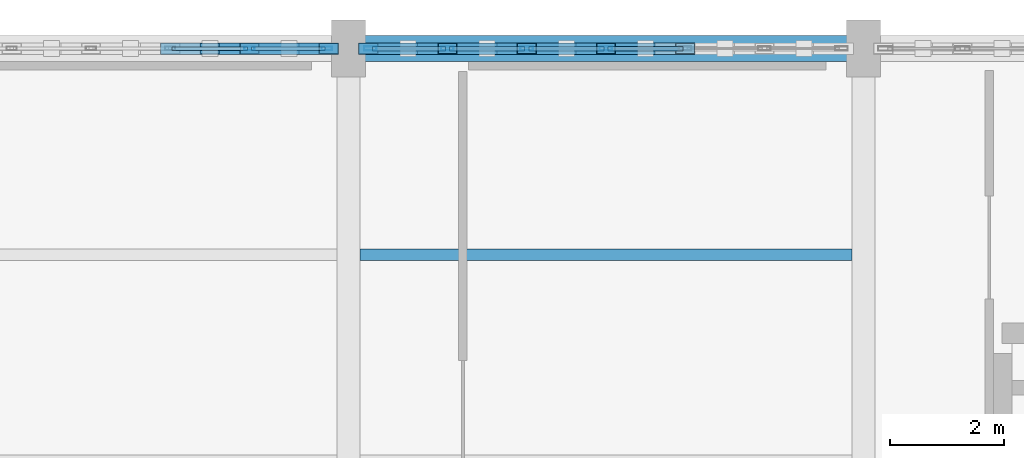
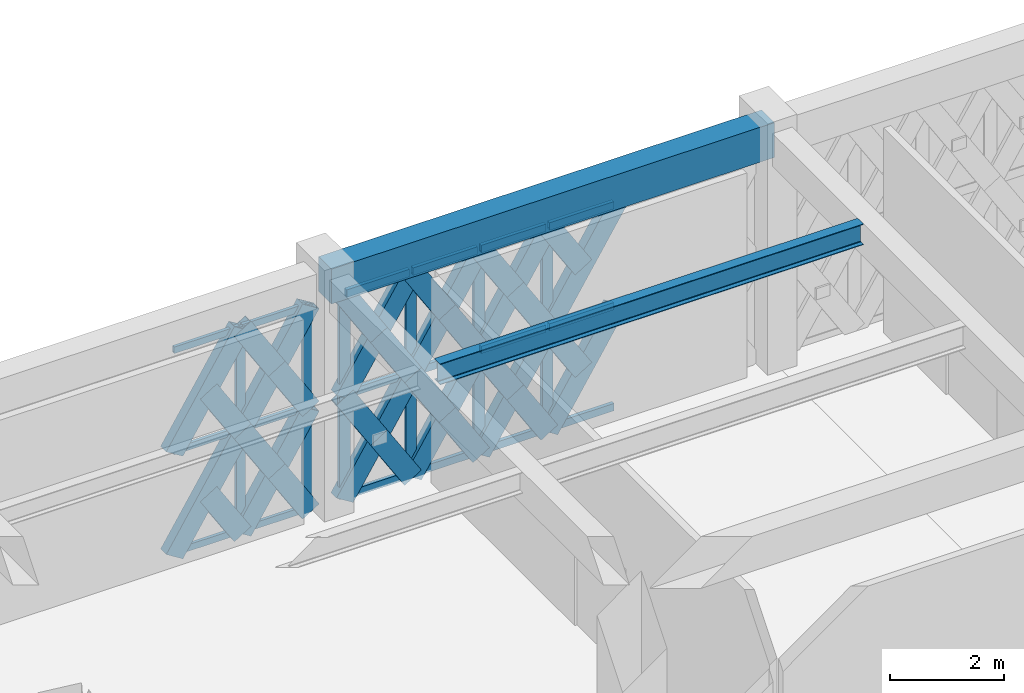
# One storey, part 89 of 155: 56 members, 2 beams, 2 elements without a shape of their own.
"""IFC4 building model written with IfcOpenShell, lengths in metres."""

from ifc_helpers import new_model, si_unit, direction, frame, origin, origin_2d, place, context, subcontext, project, spatial, rectangle, hollow_rectangle, i_section, extrude, material, material_profile, profile_set, type_object, element, aggregate, save


model = new_model("IFC4")

# Units and contexts
model_context = context("Model", 3, precision=1e-05, world=origin(), true_north=direction((0.0, 1.0)))
body_context = subcontext(model_context, "Body", "Model", "MODEL_VIEW")
ifc_project = project(units=[si_unit("LENGTHUNIT", "METRE"), si_unit("AREAUNIT", "SQUARE_METRE"), si_unit("VOLUMEUNIT", "CUBIC_METRE"), si_unit("PLANEANGLEUNIT", "RADIAN"), si_unit("MASSUNIT", "GRAM", prefix="KILO")], contexts=[model_context])

# Site, building, storey
site_placement = place(None, origin())
site = spatial("IfcSite", under=ifc_project, at=site_placement, CompositionType="ELEMENT")
building_placement = place(site_placement, origin())
building = spatial("IfcBuilding", under=site, at=building_placement, Name="Haizhuo Lancet Aquarium", CompositionType="ELEMENT")
storey_placement = place(building_placement, frame((0.0, 0.0, 10.800048828125)))
storey = spatial("IfcBuildingStorey", under=building, at=storey_placement, Name="L02", CompositionType="ELEMENT", Elevation=10.800048828125)

# Beam
ifc_material_1 = material(Name="Concrete C40/50", Category="concrete")
ifc_material_profile_1 = material_profile(ifc_material_1, rectangle(XDim=0.449951171875, YDim=0.75, at=origin_2d()), Name="RC-BM 450x750")
ifc_profile_set_1 = profile_set([ifc_material_profile_1], Name="Concrete C40/50")
beam_type_1 = type_object("IfcBeamType", Name="BM-RC-450x750", PredefinedType="BEAM", material=ifc_profile_set_1)
beam_1_placement = place(storey_placement, frame((0.0, 55.800048828125, 4.784912109375), z_axis=(1.0, 0.0, 0.0), x_axis=(0.0, 1.0, 0.0)))
element("IfcBeam", 1, at=beam_1_placement, inside=storey, type_object=beam_type_1, Name="L02 V5 primary girder BM-L02-V5-022", PredefinedType="BEAM", context=body_context, shape_type="SweptSolid", body=[
    extrude(rectangle(XDim=0.449951171875, YDim=0.75, at=origin_2d()), origin(), (0.0, 0.0, 1.0), 9.0),
])

# Curtain wall, members
ifc_material_2 = material(Name="Aluminium 6063-T6", Category="aluminium")
curtain_wall_type = type_object("IfcCurtainWallType", Name="CWD-8310x4410", PredefinedType="NOTDEFINED", material=ifc_material_2)
curtain_wall_1_placement = place(storey_placement, origin())
curtain_wall_1 = element("IfcCurtainWall", 2, at=curtain_wall_1_placement, inside=storey, type_object=curtain_wall_type, Name="L02 curtain wall CW-V5-L02-148", PredefinedType="NOTDEFINED")
ifc_material_profile_2 = material_profile(ifc_material_2, hollow_rectangle(XDim=0.06494140625, YDim=0.179931640625, WallThickness=0.00390625, at=origin_2d()), Name="ALU-M 65x180x4")
ifc_profile_set_2 = profile_set([ifc_material_profile_2], Name="Aluminium 6063-T6")
member_type_1 = type_object("IfcMemberType", Name="CW-MUL-1", PredefinedType="MULLION", material=ifc_profile_set_2)
member_1_placement = place(storey_placement, frame((-1.72998046875, 55.800048828125, 0.0), z_axis=(0.0, 0.0, 1.0), x_axis=(0.0, 1.0, 0.0)))
member_1 = element("IfcMember", 3, at=member_1_placement, type_object=member_type_1, Name="CWD-83x44 mullion 6", PredefinedType="MULLION", context=body_context, shape_type="SweptSolid", body=[
    extrude(hollow_rectangle(XDim=0.06494140625, YDim=0.179931640625, WallThickness=0.00390625, at=origin_2d()), origin(), (0.0, 0.0, 1.0), 4.409912109375),
])
member_2_placement = place(storey_placement, frame((-0.3779296875, 55.800048828125, 0.0), z_axis=(0.0, 0.0, 1.0), x_axis=(0.0, 1.0, 0.0)))
member_2 = element("IfcMember", 4, at=member_2_placement, type_object=member_type_1, Name="CWD-83x44 mullion 7", PredefinedType="MULLION", context=body_context, shape_type="SweptSolid", body=[
    extrude(hollow_rectangle(XDim=0.06494140625, YDim=0.179931640625, WallThickness=0.00390625, at=origin_2d()), origin(), (0.0, 0.0, 1.0), 4.409912109375),
])

curtain_wall_2_placement = place(storey_placement, origin())
curtain_wall_2 = element("IfcCurtainWall", 5, at=curtain_wall_2_placement, inside=storey, type_object=curtain_wall_type, Name="L02 curtain wall CW-V5-L02-149", PredefinedType="NOTDEFINED")
ifc_material_profile_3 = material_profile(ifc_material_2, hollow_rectangle(XDim=0.074951171875, YDim=0.219970703125, WallThickness=0.0048828125, at=origin_2d()), Name="ALU-M 75x220x5")
ifc_profile_set_3 = profile_set([ifc_material_profile_3], Name="Aluminium 6063-T6")
member_type_2 = type_object("IfcMemberType", Name="CW-MUL-2", PredefinedType="MULLION", material=ifc_profile_set_3)
member_3_placement = place(storey_placement, frame((0.382080078125, 55.800048828125, 0.0), z_axis=(0.0, 0.0, 1.0), x_axis=(0.0, 1.0, 0.0)))
member_3 = element("IfcMember", 6, at=member_3_placement, type_object=member_type_2, Name="CWD-83x44 mullion 1", PredefinedType="MULLION", context=body_context, shape_type="SweptSolid", body=[
    extrude(hollow_rectangle(XDim=0.074951171875, YDim=0.219970703125, WallThickness=0.0048828125, at=origin_2d()), origin(), (0.0, 0.0, 1.0), 4.409912109375),
])
member_4_placement = place(storey_placement, frame((1.72998046875, 55.800048828125, 0.0), z_axis=(0.0, 0.0, 1.0), x_axis=(0.0, 1.0, 0.0)))
member_4 = element("IfcMember", 7, at=member_4_placement, type_object=member_type_2, Name="CWD-83x44 mullion 2", PredefinedType="MULLION", context=body_context, shape_type="SweptSolid", body=[
    extrude(hollow_rectangle(XDim=0.074951171875, YDim=0.219970703125, WallThickness=0.0048828125, at=origin_2d()), origin(), (0.0, 0.0, 1.0), 4.409912109375),
])
member_5_placement = place(storey_placement, frame((3.114990234375, 55.800048828125, 0.0), z_axis=(0.0, 0.0, 1.0), x_axis=(0.0, 1.0, 0.0)))
member_5 = element("IfcMember", 8, at=member_5_placement, type_object=member_type_2, Name="CWD-83x44 mullion 3", PredefinedType="MULLION", context=body_context, shape_type="SweptSolid", body=[
    extrude(hollow_rectangle(XDim=0.074951171875, YDim=0.219970703125, WallThickness=0.0048828125, at=origin_2d()), origin(), (0.0, 0.0, 1.0), 4.409912109375),
])
member_6_placement = place(storey_placement, frame((4.5, 55.800048828125, 0.0), z_axis=(0.0, 0.0, 1.0), x_axis=(0.0, 1.0, 0.0)))
member_6 = element("IfcMember", 9, at=member_6_placement, type_object=member_type_2, Name="CWD-83x44 mullion 4", PredefinedType="MULLION", context=body_context, shape_type="SweptSolid", body=[
    extrude(hollow_rectangle(XDim=0.074951171875, YDim=0.219970703125, WallThickness=0.0048828125, at=origin_2d()), origin(), (0.0, 0.0, 1.0), 4.409912109375),
])

# Member
ifc_material_profile_4 = material_profile(ifc_material_2, hollow_rectangle(XDim=0.06494140625, YDim=0.139892578125, WallThickness=0.00390625, at=origin_2d()), Name="ALU-T 65x140x4")
ifc_profile_set_4 = profile_set([ifc_material_profile_4], Name="Aluminium 6063-T6")
member_type_3 = type_object("IfcMemberType", Name="CW-TRN-1", PredefinedType="NOTDEFINED", material=ifc_profile_set_4)
member_7_placement = place(storey_placement, frame((-3.0830078125, 55.800048828125, 0.032958984375), z_axis=(1.0, 0.0, 0.0), x_axis=(0.0, 1.0, 0.0)))
member_7 = element("IfcMember", 10, at=member_7_placement, type_object=member_type_3, Name="CWD-83x44 transom 5.1", ObjectType="TRANSOM", PredefinedType="USERDEFINED", context=body_context, shape_type="SweptSolid", body=[
    extrude(hollow_rectangle(XDim=0.06494140625, YDim=0.139892578125, WallThickness=0.00390625, at=origin_2d()), origin(), (0.0, 0.0, 1.0), 1.320068359375),
])

member_8_placement = place(storey_placement, frame((-3.0830078125, 55.800048828125, 2.204833984375), z_axis=(1.0, 0.0, 0.0), x_axis=(0.0, 1.0, 0.0)))
member_8 = element("IfcMember", 11, at=member_8_placement, type_object=member_type_3, Name="CWD-83x44 transom 5.2", ObjectType="TRANSOM", PredefinedType="USERDEFINED", context=body_context, shape_type="SweptSolid", body=[
    extrude(hollow_rectangle(XDim=0.06494140625, YDim=0.139892578125, WallThickness=0.00390625, at=origin_2d()), origin(), (0.0, 0.0, 1.0), 1.320068359375),
])

member_9_placement = place(storey_placement, frame((-3.0830078125, 55.800048828125, 4.3779296875), z_axis=(1.0, 0.0, 0.0), x_axis=(0.0, 1.0, 0.0)))
member_9 = element("IfcMember", 12, at=member_9_placement, type_object=member_type_3, Name="CWD-83x44 transom 5.3", ObjectType="TRANSOM", PredefinedType="USERDEFINED", context=body_context, shape_type="SweptSolid", body=[
    extrude(hollow_rectangle(XDim=0.06494140625, YDim=0.139892578125, WallThickness=0.00390625, at=origin_2d()), origin(), (0.0, 0.0, 1.0), 1.320068359375),
])

member_10_placement = place(storey_placement, frame((-1.697998046875, 55.800048828125, 0.032958984375), z_axis=(1.0, 0.0, 0.0), x_axis=(0.0, 1.0, 0.0)))
member_10 = element("IfcMember", 13, at=member_10_placement, type_object=member_type_3, Name="CWD-83x44 transom 6.1", ObjectType="TRANSOM", PredefinedType="USERDEFINED", context=body_context, shape_type="SweptSolid", body=[
    extrude(hollow_rectangle(XDim=0.06494140625, YDim=0.139892578125, WallThickness=0.00390625, at=origin_2d()), origin(), (0.0, 0.0, 1.0), 1.2880859375),
])

member_11_placement = place(storey_placement, frame((-1.697998046875, 55.800048828125, 2.204833984375), z_axis=(1.0, 0.0, 0.0), x_axis=(0.0, 1.0, 0.0)))
member_11 = element("IfcMember", 14, at=member_11_placement, type_object=member_type_3, Name="CWD-83x44 transom 6.2", ObjectType="TRANSOM", PredefinedType="USERDEFINED", context=body_context, shape_type="SweptSolid", body=[
    extrude(hollow_rectangle(XDim=0.06494140625, YDim=0.139892578125, WallThickness=0.00390625, at=origin_2d()), origin(), (0.0, 0.0, 1.0), 1.2880859375),
])

member_12_placement = place(storey_placement, frame((-1.697998046875, 55.800048828125, 4.3779296875), z_axis=(1.0, 0.0, 0.0), x_axis=(0.0, 1.0, 0.0)))
member_12 = element("IfcMember", 15, at=member_12_placement, type_object=member_type_3, Name="CWD-83x44 transom 6.3", ObjectType="TRANSOM", PredefinedType="USERDEFINED", context=body_context, shape_type="SweptSolid", body=[
    extrude(hollow_rectangle(XDim=0.06494140625, YDim=0.139892578125, WallThickness=0.00390625, at=origin_2d()), origin(), (0.0, 0.0, 1.0), 1.2880859375),
])

aggregate(curtain_wall_1, [member_1, member_2, member_7, member_8, member_9, member_10, member_11, member_12])

ifc_material_profile_5 = material_profile(ifc_material_2, hollow_rectangle(XDim=0.074951171875, YDim=0.159912109375, WallThickness=0.00390625, at=origin_2d()), Name="ALU-T 75x160x4")
ifc_profile_set_5 = profile_set([ifc_material_profile_5], Name="Aluminium 6063-T6")
member_type_4 = type_object("IfcMemberType", Name="CW-TRN-2", PredefinedType="NOTDEFINED", material=ifc_profile_set_5)
member_13_placement = place(storey_placement, frame((0.419921875, 55.800048828125, 0.037841796875), z_axis=(1.0, 0.0, 0.0), x_axis=(0.0, 1.0, 0.0)))
member_13 = element("IfcMember", 16, at=member_13_placement, type_object=member_type_4, Name="CWD-83x44 transom 1.1", ObjectType="TRANSOM", PredefinedType="USERDEFINED", context=body_context, shape_type="SweptSolid", body=[
    extrude(hollow_rectangle(XDim=0.074951171875, YDim=0.159912109375, WallThickness=0.00390625, at=origin_2d()), origin(), (0.0, 0.0, 1.0), 1.27197265625),
])

member_14_placement = place(storey_placement, frame((0.419921875, 55.800048828125, 2.204833984375), z_axis=(1.0, 0.0, 0.0), x_axis=(0.0, 1.0, 0.0)))
member_14 = element("IfcMember", 17, at=member_14_placement, type_object=member_type_4, Name="CWD-83x44 transom 1.2", ObjectType="TRANSOM", PredefinedType="USERDEFINED", context=body_context, shape_type="SweptSolid", body=[
    extrude(hollow_rectangle(XDim=0.074951171875, YDim=0.159912109375, WallThickness=0.00390625, at=origin_2d()), origin(), (0.0, 0.0, 1.0), 1.27197265625),
])

member_15_placement = place(storey_placement, frame((0.419921875, 55.800048828125, 4.373046875), z_axis=(1.0, 0.0, 0.0), x_axis=(0.0, 1.0, 0.0)))
member_15 = element("IfcMember", 18, at=member_15_placement, type_object=member_type_4, Name="CWD-83x44 transom 1.3", ObjectType="TRANSOM", PredefinedType="USERDEFINED", context=body_context, shape_type="SweptSolid", body=[
    extrude(hollow_rectangle(XDim=0.074951171875, YDim=0.159912109375, WallThickness=0.00390625, at=origin_2d()), origin(), (0.0, 0.0, 1.0), 1.27197265625),
])

member_16_placement = place(storey_placement, frame((1.76708984375, 55.800048828125, 0.037841796875), z_axis=(1.0, 0.0, 0.0), x_axis=(0.0, 1.0, 0.0)))
member_16 = element("IfcMember", 19, at=member_16_placement, type_object=member_type_4, Name="CWD-83x44 transom 2.1", ObjectType="TRANSOM", PredefinedType="USERDEFINED", context=body_context, shape_type="SweptSolid", body=[
    extrude(hollow_rectangle(XDim=0.074951171875, YDim=0.159912109375, WallThickness=0.00390625, at=origin_2d()), origin(), (0.0, 0.0, 1.0), 1.309814453125),
])

member_17_placement = place(storey_placement, frame((1.76708984375, 55.800048828125, 2.204833984375), z_axis=(1.0, 0.0, 0.0), x_axis=(0.0, 1.0, 0.0)))
member_17 = element("IfcMember", 20, at=member_17_placement, type_object=member_type_4, Name="CWD-83x44 transom 2.2", ObjectType="TRANSOM", PredefinedType="USERDEFINED", context=body_context, shape_type="SweptSolid", body=[
    extrude(hollow_rectangle(XDim=0.074951171875, YDim=0.159912109375, WallThickness=0.00390625, at=origin_2d()), origin(), (0.0, 0.0, 1.0), 1.309814453125),
])

member_18_placement = place(storey_placement, frame((1.76708984375, 55.800048828125, 4.373046875), z_axis=(1.0, 0.0, 0.0), x_axis=(0.0, 1.0, 0.0)))
member_18 = element("IfcMember", 21, at=member_18_placement, type_object=member_type_4, Name="CWD-83x44 transom 2.3", ObjectType="TRANSOM", PredefinedType="USERDEFINED", context=body_context, shape_type="SweptSolid", body=[
    extrude(hollow_rectangle(XDim=0.074951171875, YDim=0.159912109375, WallThickness=0.00390625, at=origin_2d()), origin(), (0.0, 0.0, 1.0), 1.309814453125),
])

member_19_placement = place(storey_placement, frame((3.152099609375, 55.800048828125, 0.037841796875), z_axis=(1.0, 0.0, 0.0), x_axis=(0.0, 1.0, 0.0)))
member_19 = element("IfcMember", 22, at=member_19_placement, type_object=member_type_4, Name="CWD-83x44 transom 3.1", ObjectType="TRANSOM", PredefinedType="USERDEFINED", context=body_context, shape_type="SweptSolid", body=[
    extrude(hollow_rectangle(XDim=0.074951171875, YDim=0.159912109375, WallThickness=0.00390625, at=origin_2d()), origin(), (0.0, 0.0, 1.0), 1.309814453125),
])

member_20_placement = place(storey_placement, frame((3.152099609375, 55.800048828125, 2.204833984375), z_axis=(1.0, 0.0, 0.0), x_axis=(0.0, 1.0, 0.0)))
member_20 = element("IfcMember", 23, at=member_20_placement, type_object=member_type_4, Name="CWD-83x44 transom 3.2", ObjectType="TRANSOM", PredefinedType="USERDEFINED", context=body_context, shape_type="SweptSolid", body=[
    extrude(hollow_rectangle(XDim=0.074951171875, YDim=0.159912109375, WallThickness=0.00390625, at=origin_2d()), origin(), (0.0, 0.0, 1.0), 1.309814453125),
])

member_21_placement = place(storey_placement, frame((3.152099609375, 55.800048828125, 4.373046875), z_axis=(1.0, 0.0, 0.0), x_axis=(0.0, 1.0, 0.0)))
member_21 = element("IfcMember", 24, at=member_21_placement, type_object=member_type_4, Name="CWD-83x44 transom 3.3", ObjectType="TRANSOM", PredefinedType="USERDEFINED", context=body_context, shape_type="SweptSolid", body=[
    extrude(hollow_rectangle(XDim=0.074951171875, YDim=0.159912109375, WallThickness=0.00390625, at=origin_2d()), origin(), (0.0, 0.0, 1.0), 1.309814453125),
])

member_22_placement = place(storey_placement, frame((4.537109375, 55.800048828125, 0.037841796875), z_axis=(1.0, 0.0, 0.0), x_axis=(0.0, 1.0, 0.0)))
member_22 = element("IfcMember", 25, at=member_22_placement, type_object=member_type_4, Name="CWD-83x44 transom 4.1", ObjectType="TRANSOM", PredefinedType="USERDEFINED", context=body_context, shape_type="SweptSolid", body=[
    extrude(hollow_rectangle(XDim=0.074951171875, YDim=0.159912109375, WallThickness=0.00390625, at=origin_2d()), origin(), (0.0, 0.0, 1.0), 1.309814453125),
])

member_23_placement = place(storey_placement, frame((4.537109375, 55.800048828125, 2.204833984375), z_axis=(1.0, 0.0, 0.0), x_axis=(0.0, 1.0, 0.0)))
member_23 = element("IfcMember", 26, at=member_23_placement, type_object=member_type_4, Name="CWD-83x44 transom 4.2", ObjectType="TRANSOM", PredefinedType="USERDEFINED", context=body_context, shape_type="SweptSolid", body=[
    extrude(hollow_rectangle(XDim=0.074951171875, YDim=0.159912109375, WallThickness=0.00390625, at=origin_2d()), origin(), (0.0, 0.0, 1.0), 1.309814453125),
])

member_24_placement = place(storey_placement, frame((4.537109375, 55.800048828125, 4.373046875), z_axis=(1.0, 0.0, 0.0), x_axis=(0.0, 1.0, 0.0)))
member_24 = element("IfcMember", 27, at=member_24_placement, type_object=member_type_4, Name="CWD-83x44 transom 4.3", ObjectType="TRANSOM", PredefinedType="USERDEFINED", context=body_context, shape_type="SweptSolid", body=[
    extrude(hollow_rectangle(XDim=0.074951171875, YDim=0.159912109375, WallThickness=0.00390625, at=origin_2d()), origin(), (0.0, 0.0, 1.0), 1.309814453125),
])

aggregate(curtain_wall_2, [member_3, member_4, member_5, member_6, member_13, member_14, member_15, member_16, member_17, member_18, member_19, member_20, member_21, member_22, member_23, member_24])

# Beam
ifc_material_3 = material(Name="Steel S355", Category="steel")
ifc_material_profile_6 = material_profile(ifc_material_3, i_section(OverallWidth=0.199951171875, OverallDepth=0.449951171875, WebThickness=0.009033203125, FlangeThickness=0.013916015625, FilletRadius=0.01806640625, at=origin_2d()), Name="HN 450x200x9x14")
ifc_profile_set_6 = profile_set([ifc_material_profile_6], Name="Steel S355")
beam_type_2 = type_object("IfcBeamType", Name="JST-ST-HN450", PredefinedType="JOIST", material=ifc_profile_set_6)
beam_2_placement = place(storey_placement, frame((0.199951171875, 52.199951171875, 4.93505859375), z_axis=(1.0, 0.0, 0.0), x_axis=(0.0, 1.0, 0.0)))
element("IfcBeam", 28, at=beam_2_placement, inside=storey, type_object=beam_type_2, Name="L02 V5 secondary floor joist 13", PredefinedType="JOIST", context=body_context, shape_type="SweptSolid", body=[
    extrude(i_section(OverallWidth=0.199951171875, OverallDepth=0.449951171875, WebThickness=0.009033203125, FlangeThickness=0.013916015625, FilletRadius=0.01806640625, at=origin_2d()), origin(), (0.0, 0.0, 1.0), 8.60009765625),
])

# Members
ifc_material_profile_7 = material_profile(ifc_material_3, hollow_rectangle(XDim=0.199951171875, YDim=0.39990234375, WallThickness=0.011962890625, at=origin_2d()), Name="RHS 200x400x12")
ifc_profile_set_7 = profile_set([ifc_material_profile_7], Name="Steel S355")
member_type_5 = type_object("IfcMemberType", Name="MEM-LB-RHS200x400", PredefinedType="BRACE", material=ifc_profile_set_7)
member_25_placement = place(storey_placement, frame((-3.114990234375, 55.800048828125, 0.0), z_axis=(0.531927646905, 0.0, 0.84678980772), x_axis=(0.0, 1.0, 0.0)))
element("IfcMember", 29, at=member_25_placement, inside=storey, type_object=member_type_5, Name="Gothic lancet continuous diagonal brace CW-V5-L02-148 9A", PredefinedType="BRACE", context=body_context, shape_type="SweptSolid", body=[
    extrude(hollow_rectangle(XDim=0.199951171875, YDim=0.39990234375, WallThickness=0.011962890625, at=origin_2d()), origin(), (0.0, 0.0, 1.0), 2.603759765625),
])
member_26_placement = place(storey_placement, frame((-1.72998046875, 55.800048828125, 0.0), z_axis=(-0.532390437474, 0.0, 0.84649892031), x_axis=(0.0, -1.0, 0.0)))
element("IfcMember", 30, at=member_26_placement, inside=storey, type_object=member_type_5, Name="Gothic lancet split diagonal brace CW-V5-L02-148 9B1", PredefinedType="BRACE", context=body_context, shape_type="SweptSolid", body=[
    extrude(hollow_rectangle(XDim=0.199951171875, YDim=0.39990234375, WallThickness=0.011962890625, at=origin_2d()), origin(), (0.0, 0.0, 1.0), 1.302001953125),
])
member_27_placement = place(storey_placement, frame((-3.114990234375, 55.800048828125, 2.204833984375), z_axis=(0.531885415037, 0.0, 0.846816335028), x_axis=(0.0, 1.0, 0.0)))
element("IfcMember", 31, at=member_27_placement, inside=storey, type_object=member_type_5, Name="Gothic lancet continuous diagonal brace CW-V5-L02-148 10A", PredefinedType="BRACE", context=body_context, shape_type="SweptSolid", body=[
    extrude(hollow_rectangle(XDim=0.199951171875, YDim=0.39990234375, WallThickness=0.011962890625, at=origin_2d()), origin(), (0.0, 0.0, 1.0), 2.60400390625),
])
member_28_placement = place(storey_placement, frame((-1.72998046875, 55.800048828125, 2.204833984375), z_axis=(-0.532052559181, 0.0, 0.846711328771), x_axis=(0.0, -1.0, 0.0)))
element("IfcMember", 32, at=member_28_placement, inside=storey, type_object=member_type_5, Name="Gothic lancet split diagonal brace CW-V5-L02-148 10B1", PredefinedType="BRACE", context=body_context, shape_type="SweptSolid", body=[
    extrude(hollow_rectangle(XDim=0.199951171875, YDim=0.39990234375, WallThickness=0.011962890625, at=origin_2d()), origin(), (0.0, 0.0, 1.0), 1.302734375),
])
member_29_placement = place(storey_placement, frame((-1.72998046875, 55.800048828125, 0.0), z_axis=(0.531927646905, 0.0, 0.84678980772), x_axis=(0.0, 1.0, 0.0)))
element("IfcMember", 33, at=member_29_placement, inside=storey, type_object=member_type_5, Name="Gothic lancet continuous diagonal brace CW-V5-L02-148 11A", PredefinedType="BRACE", context=body_context, shape_type="SweptSolid", body=[
    extrude(hollow_rectangle(XDim=0.199951171875, YDim=0.39990234375, WallThickness=0.011962890625, at=origin_2d()), origin(), (0.0, 0.0, 1.0), 2.603759765625),
])
member_30_placement = place(storey_placement, frame((-0.344970703125, 55.800048828125, 0.0), z_axis=(-0.532390437474, 0.0, 0.84649892031), x_axis=(0.0, -1.0, 0.0)))
element("IfcMember", 34, at=member_30_placement, inside=storey, type_object=member_type_5, Name="Gothic lancet split diagonal brace CW-V5-L02-148 11B1", PredefinedType="BRACE", context=body_context, shape_type="SweptSolid", body=[
    extrude(hollow_rectangle(XDim=0.199951171875, YDim=0.39990234375, WallThickness=0.011962890625, at=origin_2d()), origin(), (0.0, 0.0, 1.0), 1.302001953125),
])
member_31_placement = place(storey_placement, frame((-1.0380859375, 55.800048828125, 1.10205078125), z_axis=(-0.531464687043, 0.0, 0.847080448615), x_axis=(0.0, -1.0, 0.0)))
element("IfcMember", 35, at=member_31_placement, inside=storey, type_object=member_type_5, Name="Gothic lancet split diagonal brace CW-V5-L02-148 11B2", PredefinedType="BRACE", context=body_context, shape_type="SweptSolid", body=[
    extrude(hollow_rectangle(XDim=0.199951171875, YDim=0.39990234375, WallThickness=0.011962890625, at=origin_2d()), origin(), (0.0, 0.0, 1.0), 1.3017578125),
])
member_32_placement = place(storey_placement, frame((-1.72998046875, 55.800048828125, 2.204833984375), z_axis=(0.531885415037, 0.0, 0.846816335028), x_axis=(0.0, 1.0, 0.0)))
element("IfcMember", 36, at=member_32_placement, inside=storey, type_object=member_type_5, Name="Gothic lancet continuous diagonal brace CW-V5-L02-148 12A", PredefinedType="BRACE", context=body_context, shape_type="SweptSolid", body=[
    extrude(hollow_rectangle(XDim=0.199951171875, YDim=0.39990234375, WallThickness=0.011962890625, at=origin_2d()), origin(), (0.0, 0.0, 1.0), 2.60400390625),
])
member_33_placement = place(storey_placement, frame((-0.344970703125, 55.800048828125, 2.204833984375), z_axis=(-0.532052559181, 0.0, 0.846711328771), x_axis=(0.0, -1.0, 0.0)))
element("IfcMember", 37, at=member_33_placement, inside=storey, type_object=member_type_5, Name="Gothic lancet split diagonal brace CW-V5-L02-148 12B1", PredefinedType="BRACE", context=body_context, shape_type="SweptSolid", body=[
    extrude(hollow_rectangle(XDim=0.199951171875, YDim=0.39990234375, WallThickness=0.011962890625, at=origin_2d()), origin(), (0.0, 0.0, 1.0), 1.302734375),
])
member_34_placement = place(storey_placement, frame((-1.0380859375, 55.800048828125, 3.307861328125), z_axis=(-0.531718060511, 0.0, 0.846921427363), x_axis=(0.0, -1.0, 0.0)))
element("IfcMember", 38, at=member_34_placement, inside=storey, type_object=member_type_5, Name="Gothic lancet split diagonal brace CW-V5-L02-148 12B2", PredefinedType="BRACE", context=body_context, shape_type="SweptSolid", body=[
    extrude(hollow_rectangle(XDim=0.199951171875, YDim=0.39990234375, WallThickness=0.011962890625, at=origin_2d()), origin(), (0.0, 0.0, 1.0), 1.30126953125),
])
member_35_placement = place(storey_placement, frame((0.344970703125, 55.800048828125, 0.0), z_axis=(0.531927646905, 0.0, 0.84678980772), x_axis=(0.0, 1.0, 0.0)))
element("IfcMember", 39, at=member_35_placement, inside=storey, type_object=member_type_5, Name="Gothic lancet continuous diagonal brace CW-V5-L02-149 1A", PredefinedType="BRACE", context=body_context, shape_type="SweptSolid", body=[
    extrude(hollow_rectangle(XDim=0.199951171875, YDim=0.39990234375, WallThickness=0.011962890625, at=origin_2d()), origin(), (0.0, 0.0, 1.0), 2.603759765625),
])
member_36_placement = place(storey_placement, frame((1.72998046875, 55.800048828125, 0.0), z_axis=(-0.531718060511, 0.0, 0.846921427363), x_axis=(0.0, -1.0, 0.0)))
element("IfcMember", 40, at=member_36_placement, inside=storey, type_object=member_type_5, Name="Gothic lancet split diagonal brace CW-V5-L02-149 1B1", PredefinedType="BRACE", context=body_context, shape_type="SweptSolid", body=[
    extrude(hollow_rectangle(XDim=0.199951171875, YDim=0.39990234375, WallThickness=0.011962890625, at=origin_2d()), origin(), (0.0, 0.0, 1.0), 1.30126953125),
])
member_37_placement = place(storey_placement, frame((1.0380859375, 55.800048828125, 1.10205078125), z_axis=(-0.532136996486, 0.0, 0.846658264574), x_axis=(0.0, -1.0, 0.0)))
element("IfcMember", 41, at=member_37_placement, inside=storey, type_object=member_type_5, Name="Gothic lancet split diagonal brace CW-V5-L02-149 1B2", PredefinedType="BRACE", context=body_context, shape_type="SweptSolid", body=[
    extrude(hollow_rectangle(XDim=0.199951171875, YDim=0.39990234375, WallThickness=0.011962890625, at=origin_2d()), origin(), (0.0, 0.0, 1.0), 1.302490234375),
])
member_38_placement = place(storey_placement, frame((0.344970703125, 55.800048828125, 2.204833984375), z_axis=(0.531885415037, 0.0, 0.846816335028), x_axis=(0.0, 1.0, 0.0)))
element("IfcMember", 42, at=member_38_placement, inside=storey, type_object=member_type_5, Name="Gothic lancet continuous diagonal brace CW-V5-L02-149 2A", PredefinedType="BRACE", context=body_context, shape_type="SweptSolid", body=[
    extrude(hollow_rectangle(XDim=0.199951171875, YDim=0.39990234375, WallThickness=0.011962890625, at=origin_2d()), origin(), (0.0, 0.0, 1.0), 2.60400390625),
])
for number, where, z_axis, x_axis, name in (
    (43, (1.72998046875, 55.800048828125, 2.204833984375), (-0.531380272315, 0.0, 0.847133405193), (0.0, -1.0, 0.0), "Gothic lancet split diagonal brace CW-V5-L02-149 2B1"),
    (44, (1.0380859375, 55.800048828125, 3.307861328125), (-0.532390437474, 0.0, 0.84649892031), (0.0, -1.0, 0.0), "Gothic lancet split diagonal brace CW-V5-L02-149 2B2"),
):
    element("IfcMember", number, at=place(storey_placement, frame(where, z_axis=z_axis, x_axis=x_axis)), inside=storey, type_object=member_type_5, Name=name, PredefinedType="BRACE", context=body_context, shape_type="SweptSolid", body=[
        extrude(hollow_rectangle(XDim=0.199951171875, YDim=0.39990234375, WallThickness=0.011962890625, at=origin_2d()), origin(), (0.0, 0.0, 1.0), 1.302001953125),
    ])
member_39_placement = place(storey_placement, frame((1.72998046875, 55.800048828125, 0.0), z_axis=(0.531927646905, 0.0, 0.84678980772), x_axis=(0.0, 1.0, 0.0)))
element("IfcMember", 45, at=member_39_placement, inside=storey, type_object=member_type_5, Name="Gothic lancet continuous diagonal brace CW-V5-L02-149 3A", PredefinedType="BRACE", context=body_context, shape_type="SweptSolid", body=[
    extrude(hollow_rectangle(XDim=0.199951171875, YDim=0.39990234375, WallThickness=0.011962890625, at=origin_2d()), origin(), (0.0, 0.0, 1.0), 2.603759765625),
])
member_40_placement = place(storey_placement, frame((3.114990234375, 55.800048828125, 0.0), z_axis=(-0.531718060511, 0.0, 0.846921427363), x_axis=(0.0, -1.0, 0.0)))
element("IfcMember", 46, at=member_40_placement, inside=storey, type_object=member_type_5, Name="Gothic lancet split diagonal brace CW-V5-L02-149 3B1", PredefinedType="BRACE", context=body_context, shape_type="SweptSolid", body=[
    extrude(hollow_rectangle(XDim=0.199951171875, YDim=0.39990234375, WallThickness=0.011962890625, at=origin_2d()), origin(), (0.0, 0.0, 1.0), 1.30126953125),
])
member_41_placement = place(storey_placement, frame((2.423095703125, 55.800048828125, 1.10205078125), z_axis=(-0.532136996486, 0.0, 0.846658264574), x_axis=(0.0, -1.0, 0.0)))
element("IfcMember", 47, at=member_41_placement, inside=storey, type_object=member_type_5, Name="Gothic lancet split diagonal brace CW-V5-L02-149 3B2", PredefinedType="BRACE", context=body_context, shape_type="SweptSolid", body=[
    extrude(hollow_rectangle(XDim=0.199951171875, YDim=0.39990234375, WallThickness=0.011962890625, at=origin_2d()), origin(), (0.0, 0.0, 1.0), 1.302490234375),
])
member_42_placement = place(storey_placement, frame((1.72998046875, 55.800048828125, 2.204833984375), z_axis=(0.531885415037, 0.0, 0.846816335028), x_axis=(0.0, 1.0, 0.0)))
element("IfcMember", 48, at=member_42_placement, inside=storey, type_object=member_type_5, Name="Gothic lancet continuous diagonal brace CW-V5-L02-149 4A", PredefinedType="BRACE", context=body_context, shape_type="SweptSolid", body=[
    extrude(hollow_rectangle(XDim=0.199951171875, YDim=0.39990234375, WallThickness=0.011962890625, at=origin_2d()), origin(), (0.0, 0.0, 1.0), 2.60400390625),
])
for number, where, z_axis, x_axis, name in (
    (49, (3.114990234375, 55.800048828125, 2.204833984375), (-0.531380272315, 0.0, 0.847133405193), (0.0, -1.0, 0.0), "Gothic lancet split diagonal brace CW-V5-L02-149 4B1"),
    (50, (2.423095703125, 55.800048828125, 3.307861328125), (-0.532390437474, 0.0, 0.84649892031), (0.0, -1.0, 0.0), "Gothic lancet split diagonal brace CW-V5-L02-149 4B2"),
):
    element("IfcMember", number, at=place(storey_placement, frame(where, z_axis=z_axis, x_axis=x_axis)), inside=storey, type_object=member_type_5, Name=name, PredefinedType="BRACE", context=body_context, shape_type="SweptSolid", body=[
        extrude(hollow_rectangle(XDim=0.199951171875, YDim=0.39990234375, WallThickness=0.011962890625, at=origin_2d()), origin(), (0.0, 0.0, 1.0), 1.302001953125),
    ])
member_43_placement = place(storey_placement, frame((3.114990234375, 55.800048828125, 0.0), z_axis=(0.531927646905, 0.0, 0.84678980772), x_axis=(0.0, 1.0, 0.0)))
element("IfcMember", 51, at=member_43_placement, inside=storey, type_object=member_type_5, Name="Gothic lancet continuous diagonal brace CW-V5-L02-149 5A", PredefinedType="BRACE", context=body_context, shape_type="SweptSolid", body=[
    extrude(hollow_rectangle(XDim=0.199951171875, YDim=0.39990234375, WallThickness=0.011962890625, at=origin_2d()), origin(), (0.0, 0.0, 1.0), 2.603759765625),
])
member_44_placement = place(storey_placement, frame((4.5, 55.800048828125, 0.0), z_axis=(-0.531718060511, 0.0, 0.846921427363), x_axis=(0.0, -1.0, 0.0)))
element("IfcMember", 52, at=member_44_placement, inside=storey, type_object=member_type_5, Name="Gothic lancet split diagonal brace CW-V5-L02-149 5B1", PredefinedType="BRACE", context=body_context, shape_type="SweptSolid", body=[
    extrude(hollow_rectangle(XDim=0.199951171875, YDim=0.39990234375, WallThickness=0.011962890625, at=origin_2d()), origin(), (0.0, 0.0, 1.0), 1.30126953125),
])
member_45_placement = place(storey_placement, frame((3.80810546875, 55.800048828125, 1.10205078125), z_axis=(-0.532136996486, 0.0, 0.846658264574), x_axis=(0.0, -1.0, 0.0)))
element("IfcMember", 53, at=member_45_placement, inside=storey, type_object=member_type_5, Name="Gothic lancet split diagonal brace CW-V5-L02-149 5B2", PredefinedType="BRACE", context=body_context, shape_type="SweptSolid", body=[
    extrude(hollow_rectangle(XDim=0.199951171875, YDim=0.39990234375, WallThickness=0.011962890625, at=origin_2d()), origin(), (0.0, 0.0, 1.0), 1.302490234375),
])
member_46_placement = place(storey_placement, frame((3.114990234375, 55.800048828125, 2.204833984375), z_axis=(0.531885415037, 0.0, 0.846816335028), x_axis=(0.0, 1.0, 0.0)))
element("IfcMember", 54, at=member_46_placement, inside=storey, type_object=member_type_5, Name="Gothic lancet continuous diagonal brace CW-V5-L02-149 6A", PredefinedType="BRACE", context=body_context, shape_type="SweptSolid", body=[
    extrude(hollow_rectangle(XDim=0.199951171875, YDim=0.39990234375, WallThickness=0.011962890625, at=origin_2d()), origin(), (0.0, 0.0, 1.0), 2.60400390625),
])
for number, where, z_axis, x_axis, name in (
    (55, (4.5, 55.800048828125, 2.204833984375), (-0.531380272315, 0.0, 0.847133405193), (0.0, -1.0, 0.0), "Gothic lancet split diagonal brace CW-V5-L02-149 6B1"),
    (56, (3.80810546875, 55.800048828125, 3.307861328125), (-0.532390437474, 0.0, 0.84649892031), (0.0, -1.0, 0.0), "Gothic lancet split diagonal brace CW-V5-L02-149 6B2"),
):
    element("IfcMember", number, at=place(storey_placement, frame(where, z_axis=z_axis, x_axis=x_axis)), inside=storey, type_object=member_type_5, Name=name, PredefinedType="BRACE", context=body_context, shape_type="SweptSolid", body=[
        extrude(hollow_rectangle(XDim=0.199951171875, YDim=0.39990234375, WallThickness=0.011962890625, at=origin_2d()), origin(), (0.0, 0.0, 1.0), 1.302001953125),
    ])
member_47_placement = place(storey_placement, frame((4.5, 55.800048828125, 0.0), z_axis=(0.531927646905, 0.0, 0.84678980772), x_axis=(0.0, 1.0, 0.0)))
element("IfcMember", 57, at=member_47_placement, inside=storey, type_object=member_type_5, Name="Gothic lancet continuous diagonal brace CW-V5-L02-149 7A", PredefinedType="BRACE", context=body_context, shape_type="SweptSolid", body=[
    extrude(hollow_rectangle(XDim=0.199951171875, YDim=0.39990234375, WallThickness=0.011962890625, at=origin_2d()), origin(), (0.0, 0.0, 1.0), 2.603759765625),
])
member_48_placement = place(storey_placement, frame((5.19189453125, 55.800048828125, 1.10205078125), z_axis=(-0.531464687043, 0.0, 0.847080448615), x_axis=(0.0, -1.0, 0.0)))
element("IfcMember", 58, at=member_48_placement, inside=storey, type_object=member_type_5, Name="Gothic lancet split diagonal brace CW-V5-L02-149 7B2", PredefinedType="BRACE", context=body_context, shape_type="SweptSolid", body=[
    extrude(hollow_rectangle(XDim=0.199951171875, YDim=0.39990234375, WallThickness=0.011962890625, at=origin_2d()), origin(), (0.0, 0.0, 1.0), 1.3017578125),
])
member_49_placement = place(storey_placement, frame((4.5, 55.800048828125, 2.204833984375), z_axis=(0.531885415037, 0.0, 0.846816335028), x_axis=(0.0, 1.0, 0.0)))
element("IfcMember", 59, at=member_49_placement, inside=storey, type_object=member_type_5, Name="Gothic lancet continuous diagonal brace CW-V5-L02-149 8A", PredefinedType="BRACE", context=body_context, shape_type="SweptSolid", body=[
    extrude(hollow_rectangle(XDim=0.199951171875, YDim=0.39990234375, WallThickness=0.011962890625, at=origin_2d()), origin(), (0.0, 0.0, 1.0), 2.60400390625),
])
member_50_placement = place(storey_placement, frame((5.19189453125, 55.800048828125, 3.307861328125), z_axis=(-0.531718060511, 0.0, 0.846921427363), x_axis=(0.0, -1.0, 0.0)))
element("IfcMember", 60, at=member_50_placement, inside=storey, type_object=member_type_5, Name="Gothic lancet split diagonal brace CW-V5-L02-149 8B2", PredefinedType="BRACE", context=body_context, shape_type="SweptSolid", body=[
    extrude(hollow_rectangle(XDim=0.199951171875, YDim=0.39990234375, WallThickness=0.011962890625, at=origin_2d()), origin(), (0.0, 0.0, 1.0), 1.30126953125),
])

save(model, "model.ifc")
